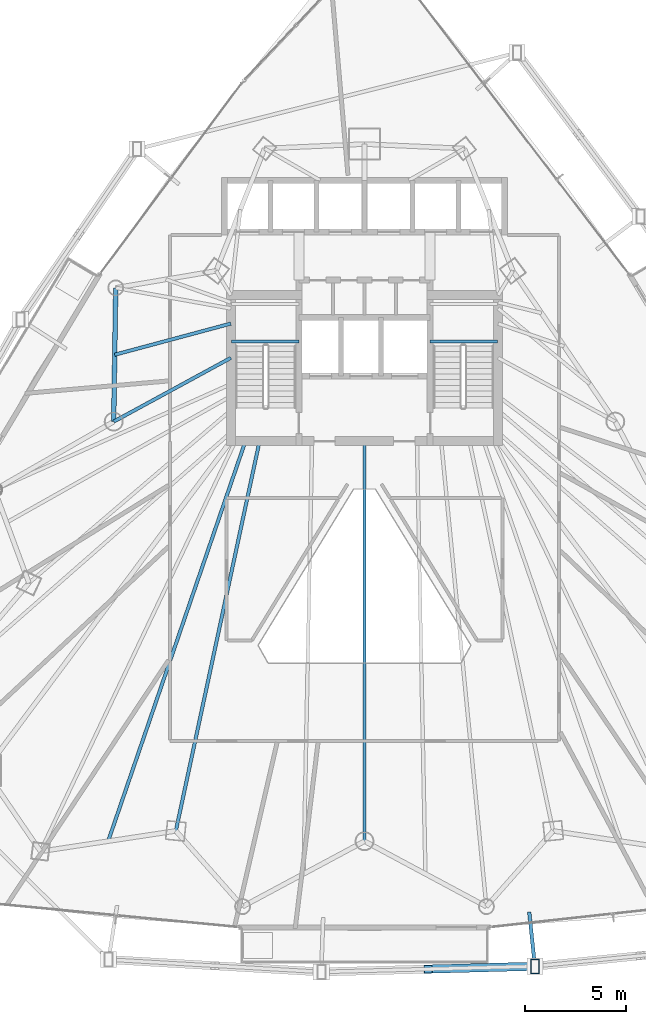
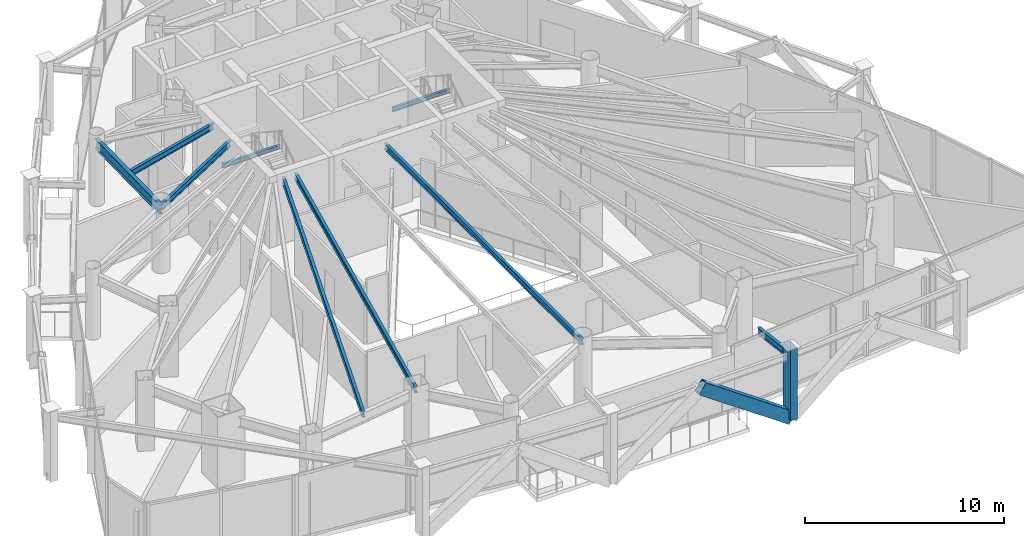
# One storey, part 11 of 33: 9 beams, 2 members.
"""IFC4 building model written with IfcOpenShell, lengths in metres."""

from ifc_helpers import new_model, si_unit, direction, frame, origin, origin_2d, place, context, subcontext, project, spatial, hollow_rectangle, i_section, extrude, material, material_profile, profile_set, type_object, element, save


model = new_model("IFC4")

# Units and contexts
model_context = context("Model", 3, precision=1e-05, world=origin(), true_north=direction((0.0, 1.0)))
body_context = subcontext(model_context, "Body", "Model", "MODEL_VIEW")
ifc_project = project(units=[si_unit("LENGTHUNIT", "METRE"), si_unit("AREAUNIT", "SQUARE_METRE"), si_unit("VOLUMEUNIT", "CUBIC_METRE"), si_unit("PLANEANGLEUNIT", "RADIAN"), si_unit("MASSUNIT", "GRAM", prefix="KILO")], contexts=[model_context])

# Site, building, storey
site_placement = place(None, origin())
site = spatial("IfcSite", under=ifc_project, at=site_placement, CompositionType="ELEMENT")
building_placement = place(site_placement, origin())
building = spatial("IfcBuilding", under=site, at=building_placement, Name="Orvanel Arch Residences", CompositionType="ELEMENT")
storey_placement = place(building_placement, frame((0.0, 0.0, 97.25)))
storey = spatial("IfcBuildingStorey", under=building, at=storey_placement, Name="L27", CompositionType="ELEMENT", Elevation=97.25)

# Beams
ifc_material_1 = material(Name="Structural steel AS/NZS 3679.1 Grade 300 (300 MPa)", Category="steel")
ifc_material_profile_1 = material_profile(ifc_material_1, i_section(OverallWidth=0.14599609375, OverallDepth=0.251953125, WebThickness=0.006103515625, FlangeThickness=0.008544921875, at=origin_2d()), Name="250UB31.4")
ifc_profile_set_1 = profile_set([ifc_material_profile_1], Name="Structural steel AS/NZS 3679.1 Grade 300 (300 MPa)")
beam_type_1 = type_object("IfcBeamType", Name="BJ-250UB", PredefinedType="JOIST", material=ifc_profile_set_1)
for number, where, z_axis, x_axis, name in (
    (1, (26.39990234375, 31.6201171875, 1.84912109375), (1.0, 0.0, 0.0), (0.0, 1.0, 0.0), "L27 ST-1 Half-Landing Support Beam 1.1"),
    (2, (36.25, 31.6201171875, 1.84912109375), (1.0, 0.0, 0.0), (0.0, 1.0, 0.0), "L27 ST-2 Half-Landing Support Beam 1.1"),
):
    element("IfcBeam", number, at=place(storey_placement, frame(where, z_axis=z_axis, x_axis=x_axis)), inside=storey, type_object=beam_type_1, Name=name, PredefinedType="JOIST", context=body_context, shape_type="SweptSolid", body=[
        extrude(i_section(OverallWidth=0.14599609375, OverallDepth=0.251953125, WebThickness=0.006103515625, FlangeThickness=0.008544921875, at=origin_2d()), origin(), (0.0, 0.0, 1.0), 3.35009765625),
    ])
ifc_material_profile_2 = material_profile(ifc_material_1, i_section(OverallWidth=0.1708984375, OverallDepth=0.35595703125, WebThickness=0.00732421875, FlangeThickness=0.011474609375, at=origin_2d()), Name="360UB50.7")
ifc_profile_set_2 = profile_set([ifc_material_profile_2], Name="Structural steel AS/NZS 3679.1 Grade 300 (300 MPa)")
beam_type_2 = type_object("IfcBeamType", Name="BJ-360UB", PredefinedType="JOIST", material=ifc_profile_set_2)
beam_1_placement = place(storey_placement, frame((26.375, 30.800048828125, 3.77197265625), z_axis=(-0.878399029914, -0.477927969726, 0.0), x_axis=(0.477927969726, -0.878399029914, 0.0)))
element("IfcBeam", 3, at=beam_1_placement, inside=storey, type_object=beam_type_2, Name="L27 NW Wing Floor Joist", PredefinedType="JOIST", context=body_context, shape_type="SweptSolid", body=[
    extrude(i_section(OverallWidth=0.1708984375, OverallDepth=0.35595703125, WebThickness=0.00732421875, FlangeThickness=0.011474609375, at=origin_2d()), origin(), (0.0, 0.0, 1.0), 6.609619140625),
])
beam_2_placement = place(storey_placement, frame((27.800048828125, 26.675048828125, 3.77197265625), z_axis=(-0.210066515515, -0.977687096703, 0.0), x_axis=(0.977687096703, -0.210066515515, 0.0)))
element("IfcBeam", 4, at=beam_2_placement, inside=storey, type_object=beam_type_2, Name="L27 SW Wing Floor Joist", PredefinedType="JOIST", context=body_context, shape_type="SweptSolid", body=[
    extrude(i_section(OverallWidth=0.1708984375, OverallDepth=0.35595703125, WebThickness=0.00732421875, FlangeThickness=0.011474609375, at=origin_2d()), origin(), (0.0, 0.0, 1.0), 19.760986328125),
])
beam_3_placement = place(storey_placement, frame((33.0, 26.675048828125, 3.77197265625), z_axis=(0.0, -1.0, 0.0), x_axis=(1.0, 0.0, 0.0)))
element("IfcBeam", 5, at=beam_3_placement, inside=storey, type_object=beam_type_2, Name="L27 SSW Wing Floor Joist", PredefinedType="JOIST", context=body_context, shape_type="SweptSolid", body=[
    extrude(i_section(OverallWidth=0.1708984375, OverallDepth=0.35595703125, WebThickness=0.00732421875, FlangeThickness=0.011474609375, at=origin_2d()), origin(), (0.0, 0.0, 1.0), 19.8310546875),
])
beam_4_placement = place(storey_placement, frame((26.375, 32.5, 3.77197265625), z_axis=(-0.965844838168, -0.259121107949, 0.0), x_axis=(0.259121107949, -0.965844838168, 0.0)))
element("IfcBeam", 6, at=beam_4_placement, inside=storey, type_object=beam_type_2, Name="L27 WNW Wing Floor Joist", PredefinedType="JOIST", context=body_context, shape_type="SweptSolid", body=[
    extrude(i_section(OverallWidth=0.1708984375, OverallDepth=0.35595703125, WebThickness=0.00732421875, FlangeThickness=0.011474609375, at=origin_2d()), origin(), (0.0, 0.0, 1.0), 5.95849609375),
])
beam_5_placement = place(storey_placement, frame((27.10009765625, 26.675048828125, 3.77197265625), z_axis=(-0.324621456495, -0.945844019901, 0.0), x_axis=(0.945844019901, -0.324621456495, 0.0)))
element("IfcBeam", 7, at=beam_5_placement, inside=storey, type_object=beam_type_2, Name="L27 JADD1 Wing Floor Joist", PredefinedType="JOIST", context=body_context, shape_type="SweptSolid", body=[
    extrude(i_section(OverallWidth=0.1708984375, OverallDepth=0.35595703125, WebThickness=0.00732421875, FlangeThickness=0.011474609375, at=origin_2d()), origin(), (0.0, 0.0, 1.0), 20.96337890625),
])

# Members
ifc_material_2 = material(Name="Structural steel AS/NZS 3678 Grade 350", Category="steel")
ifc_material_profile_3 = material_profile(ifc_material_2, hollow_rectangle(XDim=0.419921875, YDim=0.719970703125, WallThickness=0.02490234375, at=origin_2d()), Name="RHS720x420x25")
ifc_profile_set_3 = profile_set([ifc_material_profile_3], Name="Structural steel AS/NZS 3678 Grade 350")
member_type_1 = type_object("IfcMemberType", Name="BR-720RHS-EXT", PredefinedType="BRACE", material=ifc_profile_set_3)
member_1_placement = place(storey_placement, frame((41.447021484375, 0.64501953125, 0.0), z_axis=(-0.816038153069, -0.021601452678, 0.577594243373), x_axis=(0.026461861223, -0.999649823639, 0.0)))
element("IfcMember", 8, at=member_1_placement, inside=storey, type_object=member_type_1, Name="L27 Exterior Sky-Garden V-Frame Chevron F2B2.2", PredefinedType="BRACE", context=body_context, shape_type="SweptSolid", body=[
    extrude(hollow_rectangle(XDim=0.419921875, YDim=0.719970703125, WallThickness=0.02490234375, at=origin_2d()), origin(), (0.0, 0.0, 1.0), 6.4873046875),
])
ifc_material_profile_4 = material_profile(ifc_material_2, hollow_rectangle(XDim=0.419921875, YDim=0.719970703125, WallThickness=0.02490234375, at=origin_2d()), Name="RHS720x420x25")
ifc_profile_set_4 = profile_set([ifc_material_profile_4], Name="Structural steel AS/NZS 3678 Grade 350")
member_type_2 = type_object("IfcMemberType", Name="CH-720RHS-EXT", PredefinedType="CHORD", material=ifc_profile_set_4)
member_2_placement = place(storey_placement, frame((41.447021484375, 0.64501953125, 0.0), z_axis=(0.0, 0.0, 1.0), x_axis=(1.0, 0.0, 0.0)))
element("IfcMember", 9, at=member_2_placement, inside=storey, type_object=member_type_2, Name="L27 Outer Perimeter Frame Post 07", PredefinedType="CHORD", context=body_context, shape_type="SweptSolid", body=[
    extrude(hollow_rectangle(XDim=0.419921875, YDim=0.719970703125, WallThickness=0.02490234375, at=origin_2d()), origin(), (0.0, 0.0, 1.0), 4.35009765625),
])

# Beams
ifc_material_profile_5 = material_profile(ifc_material_1, i_section(OverallWidth=0.177978515625, OverallDepth=0.406005859375, WebThickness=0.0078125, FlangeThickness=0.0126953125, at=origin_2d()), Name="410UB59.7")
ifc_profile_set_5 = profile_set([ifc_material_profile_5], Name="Structural steel AS/NZS 3679.1 Grade 300 (300 MPa)")
beam_type_3 = type_object("IfcBeamType", Name="OB-410UB-EXT", PredefinedType="SPANDREL", material=ifc_profile_set_5)
beam_6_placement = place(storey_placement, frame((41.1640625, 3.337890625, 3.7470703125), z_axis=(0.104501734568, -0.994524704305, 0.0), x_axis=(0.994524704305, 0.104501734568, 0.0)))
element("IfcBeam", 10, at=beam_6_placement, inside=storey, type_object=beam_type_3, Name="L27 Outer Frame Radial Tie Beam 07", PredefinedType="SPANDREL", context=body_context, shape_type="SweptSolid", body=[
    extrude(i_section(OverallWidth=0.177978515625, OverallDepth=0.406005859375, WebThickness=0.0078125, FlangeThickness=0.0126953125, at=origin_2d()), origin(), (0.0, 0.0, 1.0), 2.707763671875),
])
ifc_material_profile_6 = material_profile(ifc_material_1, i_section(OverallWidth=0.22900390625, OverallDepth=0.612060546875, WebThickness=0.011962890625, FlangeThickness=0.01953125, at=origin_2d()), Name="610UB125")
ifc_profile_set_6 = profile_set([ifc_material_profile_6], Name="Structural steel AS/NZS 3679.1 Grade 300 (300 MPa)")
beam_type_4 = type_object("IfcBeamType", Name="SP-610UB", PredefinedType="SPANDREL", material=ifc_profile_set_6)
beam_7_placement = place(storey_placement, frame((20.669921875, 34.27099609375, 3.64404296875), z_axis=(-0.015206666874, -0.999884371956, 0.0), x_axis=(0.999884371956, -0.015206666874, 0.0)))
element("IfcBeam", 11, at=beam_7_placement, inside=storey, type_object=beam_type_4, Name="L27 Perimeter Spandrel Beam 20", PredefinedType="SPANDREL", context=body_context, shape_type="SweptSolid", body=[
    extrude(i_section(OverallWidth=0.22900390625, OverallDepth=0.612060546875, WebThickness=0.011962890625, FlangeThickness=0.01953125, at=origin_2d()), origin(), (0.0, 0.0, 1.0), 6.630615234375),
])

save(model, "model.ifc")
